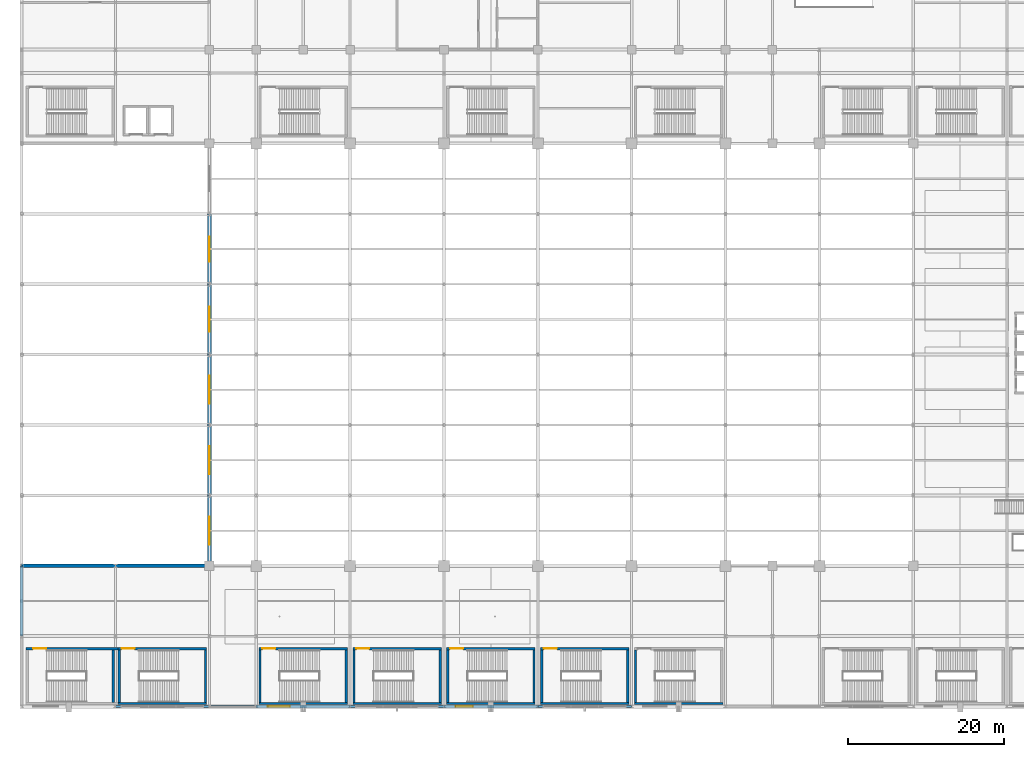
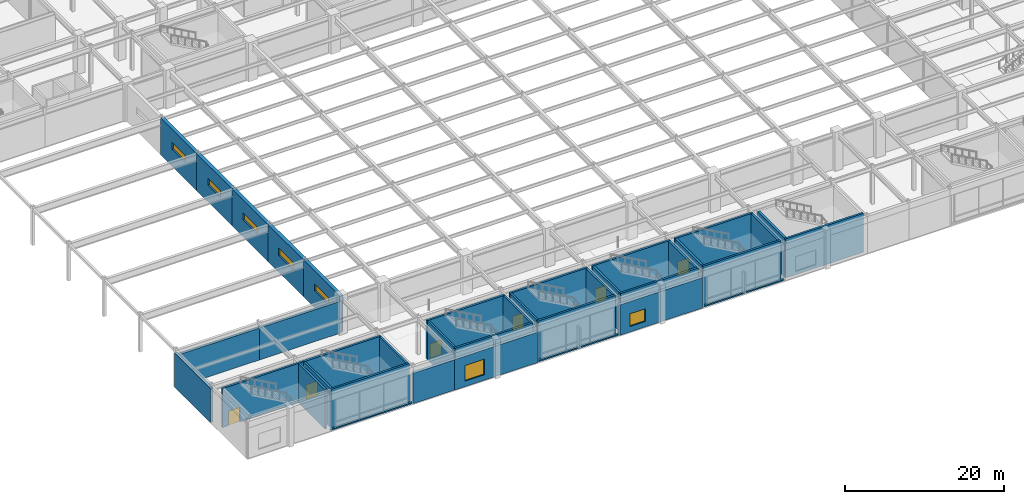
# One storey, part 83 of 105: 38 walls, 7 windows, 6 doors, 13 openings.
"""IFC4 building model written with IfcOpenShell, lengths in metres."""

from ifc_helpers import new_model, si_unit, direction, frame, frame_2d, origin, place, context, subcontext, project, spatial, rectangle, extrude, material, layer, layer_set, type_object, element, fill, save


model = new_model("IFC4")

# Units and contexts
model_context = context("Model", 3, precision=1e-05, world=origin(), true_north=direction((0.0, 1.0)))
body_context = subcontext(model_context, "Body", "Model", "MODEL_VIEW")
ifc_project = project(units=[si_unit("LENGTHUNIT", "METRE"), si_unit("AREAUNIT", "SQUARE_METRE"), si_unit("VOLUMEUNIT", "CUBIC_METRE"), si_unit("PLANEANGLEUNIT", "RADIAN"), si_unit("MASSUNIT", "GRAM", prefix="KILO")], contexts=[model_context])

# Site, building, storey
site_placement = place(None, origin())
site = spatial("IfcSite", under=ifc_project, at=site_placement, CompositionType="ELEMENT")
building_placement = place(site_placement, origin())
building = spatial("IfcBuilding", under=site, at=building_placement, Name="Kaldorvane Square Convention Centre", CompositionType="ELEMENT")
storey_placement = place(building_placement, frame((0.0, 0.0, 6.0)))
storey = spatial("IfcBuildingStorey", under=building, at=storey_placement, Name="L01", CompositionType="ELEMENT", Elevation=6.0)

# Wall, opening, window
ifc_material_1 = material(Name="Concrete f'c = 55 MPa (Normalweight)", Category="concrete")
ifc_layer_1 = layer(ifc_material_1, 0.5)
ifc_layer_set_1 = layer_set([ifc_layer_1], Name="Concrete f'c = 55 MPa (Normalweight)")
wall_type_1 = type_object("IfcWallType", Name="WL-CORE-500", PredefinedType="SHEAR", material=ifc_layer_set_1)
wall_1_placement = place(storey_placement, frame((24.0, 27.0, 0.0), z_axis=(0.0, 0.0, 1.0), x_axis=(0.0, -1.0, 0.0)))
wall_1 = element("IfcWall", 1, at=wall_1_placement, inside=storey, type_object=wall_type_1, Name="Exhibition Hall Freight Dock Wall 1 (L01)", PredefinedType="SHEAR", context=body_context, shape_type="SweptSolid", body=[
    extrude(rectangle(XDim=9.0, YDim=0.5, at=frame_2d((4.5, 0.0))), origin(), (0.0, 0.0, 1.0), 5.67999267578125),
])
opening_1_placement = place(wall_1_placement, frame((2.6999969482421875, 0.0, 2.600006103515625)))
opening_1 = element("IfcOpeningElement", 2, at=opening_1_placement, cuts=wall_1, Name="Opening W-24", PredefinedType="OPENING", context=body_context, shape_type="SweptSolid", body=[
    extrude(rectangle(XDim=3.600006103515625, YDim=1.100006103515625, at=frame_2d((1.8000030517578125, 0.5500030517578125))), frame((0.0, 0.2649993896484375, 0.0), z_axis=(0.0, -1.0, 0.0), x_axis=(1.0, 0.0, 0.0)), (0.0, 0.0, 1.0), 0.529998779296875),
])
ifc_material_2 = material(Name="Anodized Aluminum and Low-E Insulated Glazing", Category="aluminium")
window_type_1 = type_object("IfcWindowType", Name="WN-CLR-3600X1100", PartitioningType="TRIPLE_PANEL_HORIZONTAL", PredefinedType="WINDOW", material=ifc_material_2)
window_1_placement = place(opening_1_placement, origin())
window_1 = element("IfcWindow", 3, at=window_1_placement, inside=storey, type_object=window_type_1, Name="Exhibition Hall West Clerestory Window 01", OverallHeight=1.100006103515625, OverallWidth=3.600006103515625, PartitioningType="TRIPLE_PANEL_HORIZONTAL", PredefinedType="WINDOW", context=body_context, shape_type="SweptSolid", body=[
    extrude(rectangle(XDim=3.600006103515625, YDim=1.100006103515625, at=frame_2d((1.8000030517578125, 0.5500030517578125))), frame((0.0, 0.029998779296875, 0.0), z_axis=(0.0, -1.0, 0.0), x_axis=(1.0, 0.0, 0.0)), (0.0, 0.0, 1.0), 0.05999755859375),
])
fill(opening_1, window_1)

wall_2_placement = place(storey_placement, frame((24.0, 36.0, 0.0), z_axis=(0.0, 0.0, 1.0), x_axis=(0.0, -1.0, 0.0)))
wall_2 = element("IfcWall", 4, at=wall_2_placement, inside=storey, type_object=wall_type_1, Name="Exhibition Hall Freight Dock Wall 2 (L01)", PredefinedType="SHEAR", context=body_context, shape_type="SweptSolid", body=[
    extrude(rectangle(XDim=9.0, YDim=0.5, at=frame_2d((4.5, 0.0))), origin(), (0.0, 0.0, 1.0), 5.67999267578125),
])
opening_2_placement = place(wall_2_placement, frame((2.6999969482421875, 0.0, 2.600006103515625)))
opening_2 = element("IfcOpeningElement", 5, at=opening_2_placement, cuts=wall_2, Name="Opening W-24", PredefinedType="OPENING", context=body_context, shape_type="SweptSolid", body=[
    extrude(rectangle(XDim=3.600006103515625, YDim=1.100006103515625, at=frame_2d((1.8000030517578125, 0.5500030517578125))), frame((0.0, 0.2649993896484375, 0.0), z_axis=(0.0, -1.0, 0.0), x_axis=(1.0, 0.0, 0.0)), (0.0, 0.0, 1.0), 0.529998779296875),
])
window_2_placement = place(opening_2_placement, origin())
window_2 = element("IfcWindow", 6, at=window_2_placement, inside=storey, type_object=window_type_1, Name="Exhibition Hall West Clerestory Window 02", OverallHeight=1.100006103515625, OverallWidth=3.600006103515625, PartitioningType="TRIPLE_PANEL_HORIZONTAL", PredefinedType="WINDOW", context=body_context, shape_type="SweptSolid", body=[
    extrude(rectangle(XDim=3.600006103515625, YDim=1.100006103515625, at=frame_2d((1.8000030517578125, 0.5500030517578125))), frame((0.0, 0.029998779296875, 0.0), z_axis=(0.0, -1.0, 0.0), x_axis=(1.0, 0.0, 0.0)), (0.0, 0.0, 1.0), 0.05999755859375),
])
fill(opening_2, window_2)

wall_3_placement = place(storey_placement, frame((24.0, 45.0, 0.0), z_axis=(0.0, 0.0, 1.0), x_axis=(0.0, -1.0, 0.0)))
wall_3 = element("IfcWall", 7, at=wall_3_placement, inside=storey, type_object=wall_type_1, Name="Exhibition Hall Freight Dock Wall 3 (L01)", PredefinedType="SHEAR", context=body_context, shape_type="SweptSolid", body=[
    extrude(rectangle(XDim=9.0, YDim=0.5, at=frame_2d((4.5, 0.0))), origin(), (0.0, 0.0, 1.0), 5.67999267578125),
])
opening_3_placement = place(wall_3_placement, frame((2.6999969482421875, 0.0, 2.600006103515625)))
opening_3 = element("IfcOpeningElement", 8, at=opening_3_placement, cuts=wall_3, Name="Opening W-24", PredefinedType="OPENING", context=body_context, shape_type="SweptSolid", body=[
    extrude(rectangle(XDim=3.600006103515625, YDim=1.100006103515625, at=frame_2d((1.8000030517578125, 0.5500030517578125))), frame((0.0, 0.2649993896484375, 0.0), z_axis=(0.0, -1.0, 0.0), x_axis=(1.0, 0.0, 0.0)), (0.0, 0.0, 1.0), 0.529998779296875),
])
window_3_placement = place(opening_3_placement, origin())
window_3 = element("IfcWindow", 9, at=window_3_placement, inside=storey, type_object=window_type_1, Name="Exhibition Hall West Clerestory Window 03", OverallHeight=1.100006103515625, OverallWidth=3.600006103515625, PartitioningType="TRIPLE_PANEL_HORIZONTAL", PredefinedType="WINDOW", context=body_context, shape_type="SweptSolid", body=[
    extrude(rectangle(XDim=3.600006103515625, YDim=1.100006103515625, at=frame_2d((1.8000030517578125, 0.5500030517578125))), frame((0.0, 0.029998779296875, 0.0), z_axis=(0.0, -1.0, 0.0), x_axis=(1.0, 0.0, 0.0)), (0.0, 0.0, 1.0), 0.05999755859375),
])
fill(opening_3, window_3)

wall_4_placement = place(storey_placement, frame((24.0, 54.0, 0.0), z_axis=(0.0, 0.0, 1.0), x_axis=(0.0, -1.0, 0.0)))
wall_4 = element("IfcWall", 10, at=wall_4_placement, inside=storey, type_object=wall_type_1, Name="Exhibition Hall Freight Dock Wall 4 (L01)", PredefinedType="SHEAR", context=body_context, shape_type="SweptSolid", body=[
    extrude(rectangle(XDim=9.0, YDim=0.5, at=frame_2d((4.5, 0.0))), origin(), (0.0, 0.0, 1.0), 5.67999267578125),
])
opening_4_placement = place(wall_4_placement, frame((2.899993896484375, 0.0, 2.600006103515625)))
opening_4 = element("IfcOpeningElement", 11, at=opening_4_placement, cuts=wall_4, Name="Opening W-25", PredefinedType="OPENING", context=body_context, shape_type="SweptSolid", body=[
    extrude(rectangle(XDim=3.1999969482421875, YDim=1.0500030517578125, at=frame_2d((1.600006103515625, 0.524993896484375))), frame((0.0, 0.2649993896484375, 0.0), z_axis=(0.0, -1.0, 0.0), x_axis=(1.0, 0.0, 0.0)), (0.0, 0.0, 1.0), 0.529998779296875),
])
window_type_2 = type_object("IfcWindowType", Name="WN-CLR-3200X1050", PartitioningType="TRIPLE_PANEL_HORIZONTAL", PredefinedType="WINDOW", material=ifc_material_2)
window_4_placement = place(opening_4_placement, origin())
window_4 = element("IfcWindow", 12, at=window_4_placement, inside=storey, type_object=window_type_2, Name="Exhibition Hall West Clerestory Window 04", OverallHeight=1.0500030517578125, OverallWidth=3.1999969482421875, PartitioningType="TRIPLE_PANEL_HORIZONTAL", PredefinedType="WINDOW", context=body_context, shape_type="SweptSolid", body=[
    extrude(rectangle(XDim=3.1999969482421875, YDim=1.0500030517578125, at=frame_2d((1.600006103515625, 0.524993896484375))), frame((0.0, 0.029998779296875, 0.0), z_axis=(0.0, -1.0, 0.0), x_axis=(1.0, 0.0, 0.0)), (0.0, 0.0, 1.0), 0.05999755859375),
])
fill(opening_4, window_4)

wall_5_placement = place(storey_placement, frame((24.0, 63.0, 0.0), z_axis=(0.0, 0.0, 1.0), x_axis=(0.0, -1.0, 0.0)))
wall_5 = element("IfcWall", 13, at=wall_5_placement, inside=storey, type_object=wall_type_1, Name="Exhibition Hall Freight Dock Wall 5 (L01)", PredefinedType="SHEAR", context=body_context, shape_type="SweptSolid", body=[
    extrude(rectangle(XDim=9.0, YDim=0.5, at=frame_2d((4.5, 0.0))), origin(), (0.0, 0.0, 1.0), 5.67999267578125),
])
opening_5_placement = place(wall_5_placement, frame((2.899993896484375, 0.0, 2.600006103515625)))
opening_5 = element("IfcOpeningElement", 14, at=opening_5_placement, cuts=wall_5, Name="Opening W-25", PredefinedType="OPENING", context=body_context, shape_type="SweptSolid", body=[
    extrude(rectangle(XDim=3.1999969482421875, YDim=1.0500030517578125, at=frame_2d((1.600006103515625, 0.524993896484375))), frame((0.0, 0.2649993896484375, 0.0), z_axis=(0.0, -1.0, 0.0), x_axis=(1.0, 0.0, 0.0)), (0.0, 0.0, 1.0), 0.529998779296875),
])
window_5_placement = place(opening_5_placement, origin())
window_5 = element("IfcWindow", 15, at=window_5_placement, inside=storey, type_object=window_type_2, Name="Exhibition Hall West Clerestory Window 05", OverallHeight=1.0500030517578125, OverallWidth=3.1999969482421875, PartitioningType="TRIPLE_PANEL_HORIZONTAL", PredefinedType="WINDOW", context=body_context, shape_type="SweptSolid", body=[
    extrude(rectangle(XDim=3.1999969482421875, YDim=1.0500030517578125, at=frame_2d((1.600006103515625, 0.524993896484375))), frame((0.0, 0.029998779296875, 0.0), z_axis=(0.0, -1.0, 0.0), x_axis=(1.0, 0.0, 0.0)), (0.0, 0.0, 1.0), 0.05999755859375),
])
fill(opening_5, window_5)

# Wall
ifc_material_3 = material(Name="Concrete f'c = 42 MPa (Normalweight)", Category="concrete")
ifc_layer_2 = layer(ifc_material_3, 0.410003662109375)
ifc_layer_set_2 = layer_set([ifc_layer_2], Name="Concrete f'c = 42 MPa (Normalweight)")
wall_type_2 = type_object("IfcWallType", Name="WL-EXT-410", PredefinedType="STANDARD", material=ifc_layer_set_2)
wall_6_placement = place(storey_placement, frame((24.0, 0.0, 0.0), z_axis=(0.0, 0.0, 1.0), x_axis=(1.0, 0.0, 0.0)))
element("IfcWall", 16, at=wall_6_placement, inside=storey, type_object=wall_type_2, Name="South Square Brutalist Facade Wall (L01)", PredefinedType="STANDARD", context=body_context, shape_type="SweptSolid", body=[
    extrude(rectangle(XDim=6.0, YDim=0.410003662109375, at=frame_2d((3.0, 0.0))), origin(), (0.0, 0.0, 1.0), 4.675994873046875),
])

# Wall, opening, window
wall_7_placement = place(storey_placement, frame((30.0, 0.0, 0.0), z_axis=(0.0, 0.0, 1.0), x_axis=(1.0, 0.0, 0.0)))
wall_7 = element("IfcWall", 17, at=wall_7_placement, inside=storey, type_object=wall_type_2, Name="South Square Brutalist Facade Wall (L01)", PredefinedType="STANDARD", context=body_context, shape_type="SweptSolid", body=[
    extrude(rectangle(XDim=12.0, YDim=0.410003662109375, at=frame_2d((6.0, 0.0))), origin(), (0.0, 0.0, 1.0), 4.675994873046875),
])
opening_6_placement = place(wall_7_placement, frame((1.5, 0.0, 0.850006103515625)))
opening_6 = element("IfcOpeningElement", 18, at=opening_6_placement, cuts=wall_7, Name="Opening W-17", PredefinedType="OPENING", context=body_context, shape_type="SweptSolid", body=[
    extrude(rectangle(XDim=2.8000030517578125, YDim=2.399993896484375, at=frame_2d((1.399993896484375, 1.1999969482421875))), frame((0.0, 0.220001220703125, 0.0), z_axis=(0.0, -1.0, 0.0), x_axis=(1.0, 0.0, 0.0)), (0.0, 0.0, 1.0), 0.44000244140625),
])
window_type_3 = type_object("IfcWindowType", Name="WN-POD-2800X2400", PartitioningType="DOUBLE_PANEL_VERTICAL", PredefinedType="WINDOW", material=ifc_material_2)
window_6_placement = place(opening_6_placement, origin())
window_6 = element("IfcWindow", 19, at=window_6_placement, inside=storey, type_object=window_type_3, Name="South Facade Window (L01)", OverallHeight=2.399993896484375, OverallWidth=2.8000030517578125, PartitioningType="DOUBLE_PANEL_VERTICAL", PredefinedType="WINDOW", context=body_context, shape_type="SweptSolid", body=[
    extrude(rectangle(XDim=2.8000030517578125, YDim=2.399993896484375, at=frame_2d((1.399993896484375, 1.1999969482421875))), frame((0.0, 0.029998779296875, 0.0), z_axis=(0.0, -1.0, 0.0), x_axis=(1.0, 0.0, 0.0)), (0.0, 0.0, 1.0), 0.05999755859375),
])
fill(opening_6, window_6)

wall_8_placement = place(storey_placement, frame((54.0, 0.0, 0.0), z_axis=(0.0, 0.0, 1.0), x_axis=(1.0, 0.0, 0.0)))
wall_8 = element("IfcWall", 20, at=wall_8_placement, inside=storey, type_object=wall_type_2, Name="South Square Brutalist Facade Wall (L01)", PredefinedType="STANDARD", context=body_context, shape_type="SweptSolid", body=[
    extrude(rectangle(XDim=12.0, YDim=0.410003662109375, at=frame_2d((6.0, 0.0))), origin(), (0.0, 0.0, 1.0), 4.675994873046875),
])
opening_7_placement = place(wall_8_placement, frame((1.5, 0.0, 0.850006103515625)))
opening_7 = element("IfcOpeningElement", 21, at=opening_7_placement, cuts=wall_8, Name="Opening W-20", PredefinedType="OPENING", context=body_context, shape_type="SweptSolid", body=[
    extrude(rectangle(XDim=2.1999969482421875, YDim=1.9499969482421875, at=frame_2d((1.100006103515625, 0.975006103515625))), frame((0.0, 0.220001220703125, 0.0), z_axis=(0.0, -1.0, 0.0), x_axis=(1.0, 0.0, 0.0)), (0.0, 0.0, 1.0), 0.44000244140625),
])
window_type_4 = type_object("IfcWindowType", Name="WN-POD-2200X1950", PartitioningType="DOUBLE_PANEL_VERTICAL", PredefinedType="WINDOW", material=ifc_material_2)
window_7_placement = place(opening_7_placement, origin())
window_7 = element("IfcWindow", 22, at=window_7_placement, inside=storey, type_object=window_type_4, Name="South Facade Window (L01)", OverallHeight=1.9499969482421875, OverallWidth=2.1999969482421875, PartitioningType="DOUBLE_PANEL_VERTICAL", PredefinedType="WINDOW", context=body_context, shape_type="SweptSolid", body=[
    extrude(rectangle(XDim=2.1999969482421875, YDim=1.9499969482421875, at=frame_2d((1.100006103515625, 0.975006103515625))), frame((0.0, 0.029998779296875, 0.0), z_axis=(0.0, -1.0, 0.0), x_axis=(1.0, 0.0, 0.0)), (0.0, 0.0, 1.0), 0.05999755859375),
])
fill(opening_7, window_7)

# Walls
wall_9_placement = place(storey_placement, frame((0.0, 18.0, 0.0), z_axis=(0.0, 0.0, 1.0), x_axis=(0.0, -1.0, 0.0)))
element("IfcWall", 23, at=wall_9_placement, inside=storey, type_object=wall_type_2, Name="West Service Spine Wall (L01)", PredefinedType="STANDARD", context=body_context, shape_type="SweptSolid", body=[
    extrude(rectangle(XDim=9.0, YDim=0.410003662109375, at=frame_2d((4.5, 0.0))), origin(), (0.0, 0.0, 1.0), 5.2689971923828125),
])
for number, where, z_axis, x_axis, name in (
    (24, (0.0, 18.0, 0.0), (0.0, 0.0, 1.0), (1.0, 0.0, 0.0), "Service Yard South Wall (L01)"),
    (25, (12.0, 18.0, 0.0), (0.0, 0.0, 1.0), (1.0, 0.0, 0.0), "Service Yard South Wall (L01)"),
):
    element("IfcWall", number, at=place(storey_placement, frame(where, z_axis=z_axis, x_axis=x_axis)), inside=storey, type_object=wall_type_2, Name=name, PredefinedType="STANDARD", context=body_context, shape_type="SweptSolid", body=[
        extrude(rectangle(XDim=12.0, YDim=0.410003662109375, at=frame_2d((6.0, 0.0))), origin(), (0.0, 0.0, 1.0), 4.9019927978515625),
    ])
ifc_material_4 = material(Name="Concrete f'c = 35 MPa (Normalweight)", Category="concrete")
ifc_layer_3 = layer(ifc_material_4, 0.279998779296875)
ifc_layer_set_3 = layer_set([ifc_layer_3], Name="Concrete f'c = 35 MPa (Normalweight)")
wall_type_3 = type_object("IfcWallType", Name="WL-PAR-280", PredefinedType="PARAPET", material=ifc_layer_set_3)
for number, where, z_axis, x_axis, name in (
    (26, (12.0, 0.0, 0.0), (0.0, 0.0, 1.0), (1.0, 0.0, 0.0), "Curtain-Wall Sill Kerb (L01)"),
    (27, (42.0, 0.0, 0.0), (0.0, 0.0, 1.0), (1.0, 0.0, 0.0), "Curtain-Wall Sill Kerb (L01)"),
    (28, (66.0, 0.0, 0.0), (0.0, 0.0, 1.0), (1.0, 0.0, 0.0), "Curtain-Wall Sill Kerb (L01)"),
):
    element("IfcWall", number, at=place(storey_placement, frame(where, z_axis=z_axis, x_axis=x_axis)), inside=storey, type_object=wall_type_3, Name=name, PredefinedType="PARAPET", context=body_context, shape_type="SweptSolid", body=[
        extrude(rectangle(XDim=12.0, YDim=0.279998779296875, at=frame_2d((6.0, 0.0))), origin(), (0.0, 0.0, 1.0), 0.1999969482421875),
    ])

# Wall, opening, door
ifc_layer_4 = layer(ifc_material_1, 0.3000030517578125)
ifc_layer_set_4 = layer_set([ifc_layer_4], Name="Concrete f'c = 55 MPa (Normalweight)")
wall_type_4 = type_object("IfcWallType", Name="WL-SHAFT-300", PredefinedType="SHEAR", material=ifc_layer_set_4)
wall_10_placement = place(storey_placement, frame((12.339996337890625, 7.410003662109375, 0.0), z_axis=(0.0, 0.0, 1.0), x_axis=(-1.0, 0.0, 0.0)))
wall_10 = element("IfcWall", 29, at=wall_10_placement, inside=storey, type_object=wall_type_4, Name="Core Enclosure Wall stair:ST-C1-N (L01)", PredefinedType="SHEAR", context=body_context, shape_type="SweptSolid", body=[
    extrude(rectangle(XDim=11.779998779296875, YDim=0.3000030517578125, at=frame_2d((5.8899993896484375, 0.0))), origin(), (0.0, 0.0, 1.0), 6.0),
])
opening_8_placement = place(wall_10_placement, frame((9.220001220703125, 0.0, 0.0)))
opening_8 = element("IfcOpeningElement", 30, at=opening_8_placement, cuts=wall_10, Name="Opening FD90-S2", PredefinedType="OPENING", context=body_context, shape_type="SweptSolid", body=[
    extrude(rectangle(XDim=1.649993896484375, YDim=2.25, at=frame_2d((0.8249969482421875, 1.125))), frame((0.0, 0.165008544921875, 0.0), z_axis=(0.0, -1.0, 0.0), x_axis=(1.0, 0.0, 0.0)), (0.0, 0.0, 1.0), 0.3300018310546875),
])
ifc_material_5 = material(Name="Fire-Rated Hollow Metal Steel", Category="steel")
door_type = type_object("IfcDoorType", Name="DR-STAIR-1650", OperationType="DOUBLE_DOOR_SINGLE_SWING", PredefinedType="DOOR", material=ifc_material_5)
door_1_placement = place(opening_8_placement, origin())
door_1 = element("IfcDoor", 31, at=door_1_placement, inside=storey, type_object=door_type, Name="Convention Exit Stair C1 Fire Door (L01)", OperationType="DOUBLE_DOOR_SINGLE_SWING", OverallHeight=2.25, OverallWidth=1.649993896484375, PredefinedType="DOOR", context=body_context, shape_type="SweptSolid", body=[
    extrude(rectangle(XDim=1.649993896484375, YDim=2.25, at=frame_2d((0.8249969482421875, 1.125))), frame((0.0, 0.024993896484375, 0.0), z_axis=(0.0, -1.0, 0.0), x_axis=(1.0, 0.0, 0.0)), (0.0, 0.0, 1.0), 0.0500030517578125),
])
fill(opening_8, door_1)

# Walls
wall_11_placement = place(storey_placement, frame((11.729995727539062, 0.5500030517578125, 0.0), z_axis=(0.0, 0.0, 1.0), x_axis=(0.0, 1.0, 0.0)))
element("IfcWall", 32, at=wall_11_placement, inside=storey, type_object=wall_type_4, Name="Core Enclosure Wall stair:ST-C1-E (L01)", PredefinedType="SHEAR", context=body_context, shape_type="SweptSolid", body=[
    extrude(rectangle(XDim=6.709991455078125, YDim=0.3000030517578125, at=frame_2d((3.3549957275390625, 0.0))), origin(), (0.0, 0.0, 1.0), 6.0),
])
wall_12_placement = place(storey_placement, frame((23.660003662109375, 0.399993896484375, 0.0), z_axis=(0.0, 0.0, 1.0), x_axis=(-1.0, 0.0, 0.0)))
element("IfcWall", 33, at=wall_12_placement, inside=storey, type_object=wall_type_4, Name="Core Enclosure Wall stair:ST-C2-S (L01)", PredefinedType="SHEAR", context=body_context, shape_type="SweptSolid", body=[
    extrude(rectangle(XDim=11.32000732421875, YDim=0.3000030517578125, at=frame_2d((5.660003662109375, 0.0))), origin(), (0.0, 0.0, 1.0), 6.0),
])

# Wall, opening, door
wall_13_placement = place(storey_placement, frame((23.660003662109375, 7.410003662109375, 0.0), z_axis=(0.0, 0.0, 1.0), x_axis=(-1.0, 0.0, 0.0)))
wall_13 = element("IfcWall", 34, at=wall_13_placement, inside=storey, type_object=wall_type_4, Name="Core Enclosure Wall stair:ST-C2-N (L01)", PredefinedType="SHEAR", context=body_context, shape_type="SweptSolid", body=[
    extrude(rectangle(XDim=11.32000732421875, YDim=0.3000030517578125, at=frame_2d((5.660003662109375, 0.0))), origin(), (0.0, 0.0, 1.0), 6.0),
])
opening_9_placement = place(wall_13_placement, frame((9.220001220703125, 0.0, 0.0)))
opening_9 = element("IfcOpeningElement", 35, at=opening_9_placement, cuts=wall_13, Name="Opening FD90-S2", PredefinedType="OPENING", context=body_context, shape_type="SweptSolid", body=[
    extrude(rectangle(XDim=1.649993896484375, YDim=2.25, at=frame_2d((0.8249969482421875, 1.125))), frame((0.0, 0.165008544921875, 0.0), z_axis=(0.0, -1.0, 0.0), x_axis=(1.0, 0.0, 0.0)), (0.0, 0.0, 1.0), 0.3300018310546875),
])
door_2_placement = place(opening_9_placement, origin())
door_2 = element("IfcDoor", 36, at=door_2_placement, inside=storey, type_object=door_type, Name="Convention Exit Stair C2 Fire Door (L01)", OperationType="DOUBLE_DOOR_SINGLE_SWING", OverallHeight=2.25, OverallWidth=1.649993896484375, PredefinedType="DOOR", context=body_context, shape_type="SweptSolid", body=[
    extrude(rectangle(XDim=1.649993896484375, YDim=2.25, at=frame_2d((0.8249969482421875, 1.125))), frame((0.0, 0.024993896484375, 0.0), z_axis=(0.0, -1.0, 0.0), x_axis=(1.0, 0.0, 0.0)), (0.0, 0.0, 1.0), 0.0500030517578125),
])
fill(opening_9, door_2)

# Walls
for number, where, z_axis, x_axis, name in (
    (37, (12.490005493164062, 7.2599945068359375, 0.0), (0.0, 0.0, 1.0), (0.0, -1.0, 0.0), "Core Enclosure Wall stair:ST-C2-W (L01)"),
    (38, (23.509994506835938, 0.5500030517578125, 0.0), (0.0, 0.0, 1.0), (0.0, 1.0, 0.0), "Core Enclosure Wall stair:ST-C2-E (L01)"),
):
    element("IfcWall", number, at=place(storey_placement, frame(where, z_axis=z_axis, x_axis=x_axis)), inside=storey, type_object=wall_type_4, Name=name, PredefinedType="SHEAR", context=body_context, shape_type="SweptSolid", body=[
        extrude(rectangle(XDim=6.709991455078125, YDim=0.3000030517578125, at=frame_2d((3.3549957275390625, 0.0))), origin(), (0.0, 0.0, 1.0), 6.0),
    ])
wall_14_placement = place(storey_placement, frame((41.660003662109375, 0.399993896484375, 0.0), z_axis=(0.0, 0.0, 1.0), x_axis=(-1.0, 0.0, 0.0)))
element("IfcWall", 39, at=wall_14_placement, inside=storey, type_object=wall_type_4, Name="Core Enclosure Wall stair:ST-C3-S (L01)", PredefinedType="SHEAR", context=body_context, shape_type="SweptSolid", body=[
    extrude(rectangle(XDim=11.32000732421875, YDim=0.3000030517578125, at=frame_2d((5.660003662109375, 0.0))), origin(), (0.0, 0.0, 1.0), 6.0),
])

# Wall, opening, door
wall_15_placement = place(storey_placement, frame((41.660003662109375, 7.410003662109375, 0.0), z_axis=(0.0, 0.0, 1.0), x_axis=(-1.0, 0.0, 0.0)))
wall_15 = element("IfcWall", 40, at=wall_15_placement, inside=storey, type_object=wall_type_4, Name="Core Enclosure Wall stair:ST-C3-N (L01)", PredefinedType="SHEAR", context=body_context, shape_type="SweptSolid", body=[
    extrude(rectangle(XDim=11.32000732421875, YDim=0.3000030517578125, at=frame_2d((5.660003662109375, 0.0))), origin(), (0.0, 0.0, 1.0), 6.0),
])
opening_10_placement = place(wall_15_placement, frame((9.220001220703125, 0.0, 0.0)))
opening_10 = element("IfcOpeningElement", 41, at=opening_10_placement, cuts=wall_15, Name="Opening FD90-S2", PredefinedType="OPENING", context=body_context, shape_type="SweptSolid", body=[
    extrude(rectangle(XDim=1.649993896484375, YDim=2.25, at=frame_2d((0.8249969482421875, 1.125))), frame((0.0, 0.165008544921875, 0.0), z_axis=(0.0, -1.0, 0.0), x_axis=(1.0, 0.0, 0.0)), (0.0, 0.0, 1.0), 0.3300018310546875),
])
door_3_placement = place(opening_10_placement, origin())
door_3 = element("IfcDoor", 42, at=door_3_placement, inside=storey, type_object=door_type, Name="Convention Exit Stair C3 Fire Door (L01)", OperationType="DOUBLE_DOOR_SINGLE_SWING", OverallHeight=2.25, OverallWidth=1.649993896484375, PredefinedType="DOOR", context=body_context, shape_type="SweptSolid", body=[
    extrude(rectangle(XDim=1.649993896484375, YDim=2.25, at=frame_2d((0.8249969482421875, 1.125))), frame((0.0, 0.024993896484375, 0.0), z_axis=(0.0, -1.0, 0.0), x_axis=(1.0, 0.0, 0.0)), (0.0, 0.0, 1.0), 0.0500030517578125),
])
fill(opening_10, door_3)

# Walls
for number, where, z_axis, x_axis, name in (
    (43, (30.490005493164062, 7.2599945068359375, 0.0), (0.0, 0.0, 1.0), (0.0, -1.0, 0.0), "Core Enclosure Wall stair:ST-C3-W (L01)"),
    (44, (41.50999450683594, 0.5500030517578125, 0.0), (0.0, 0.0, 1.0), (0.0, 1.0, 0.0), "Core Enclosure Wall stair:ST-C3-E (L01)"),
):
    element("IfcWall", number, at=place(storey_placement, frame(where, z_axis=z_axis, x_axis=x_axis)), inside=storey, type_object=wall_type_4, Name=name, PredefinedType="SHEAR", context=body_context, shape_type="SweptSolid", body=[
        extrude(rectangle(XDim=6.709991455078125, YDim=0.3000030517578125, at=frame_2d((3.3549957275390625, 0.0))), origin(), (0.0, 0.0, 1.0), 6.0),
    ])
wall_16_placement = place(storey_placement, frame((53.660003662109375, 0.399993896484375, 0.0), z_axis=(0.0, 0.0, 1.0), x_axis=(-1.0, 0.0, 0.0)))
element("IfcWall", 45, at=wall_16_placement, inside=storey, type_object=wall_type_4, Name="Core Enclosure Wall stair:ST-C4-S (L01)", PredefinedType="SHEAR", context=body_context, shape_type="SweptSolid", body=[
    extrude(rectangle(XDim=11.32000732421875, YDim=0.3000030517578125, at=frame_2d((5.660003662109375, 0.0))), origin(), (0.0, 0.0, 1.0), 6.0),
])

# Wall, opening, door
wall_17_placement = place(storey_placement, frame((53.660003662109375, 7.410003662109375, 0.0), z_axis=(0.0, 0.0, 1.0), x_axis=(-1.0, 0.0, 0.0)))
wall_17 = element("IfcWall", 46, at=wall_17_placement, inside=storey, type_object=wall_type_4, Name="Core Enclosure Wall stair:ST-C4-N (L01)", PredefinedType="SHEAR", context=body_context, shape_type="SweptSolid", body=[
    extrude(rectangle(XDim=11.32000732421875, YDim=0.3000030517578125, at=frame_2d((5.660003662109375, 0.0))), origin(), (0.0, 0.0, 1.0), 6.0),
])
opening_11_placement = place(wall_17_placement, frame((9.220001220703125, 0.0, 0.0)))
opening_11 = element("IfcOpeningElement", 47, at=opening_11_placement, cuts=wall_17, Name="Opening FD90-S2", PredefinedType="OPENING", context=body_context, shape_type="SweptSolid", body=[
    extrude(rectangle(XDim=1.649993896484375, YDim=2.25, at=frame_2d((0.8249969482421875, 1.125))), frame((0.0, 0.165008544921875, 0.0), z_axis=(0.0, -1.0, 0.0), x_axis=(1.0, 0.0, 0.0)), (0.0, 0.0, 1.0), 0.3300018310546875),
])
door_4_placement = place(opening_11_placement, origin())
door_4 = element("IfcDoor", 48, at=door_4_placement, inside=storey, type_object=door_type, Name="Convention Exit Stair C4 Fire Door (L01)", OperationType="DOUBLE_DOOR_SINGLE_SWING", OverallHeight=2.25, OverallWidth=1.649993896484375, PredefinedType="DOOR", context=body_context, shape_type="SweptSolid", body=[
    extrude(rectangle(XDim=1.649993896484375, YDim=2.25, at=frame_2d((0.8249969482421875, 1.125))), frame((0.0, 0.024993896484375, 0.0), z_axis=(0.0, -1.0, 0.0), x_axis=(1.0, 0.0, 0.0)), (0.0, 0.0, 1.0), 0.0500030517578125),
])
fill(opening_11, door_4)

# Walls
for number, where, z_axis, x_axis, name in (
    (49, (42.49000549316406, 7.2599945068359375, 0.0), (0.0, 0.0, 1.0), (0.0, -1.0, 0.0), "Core Enclosure Wall stair:ST-C4-W (L01)"),
    (50, (53.50999450683594, 0.5500030517578125, 0.0), (0.0, 0.0, 1.0), (0.0, 1.0, 0.0), "Core Enclosure Wall stair:ST-C4-E (L01)"),
):
    element("IfcWall", number, at=place(storey_placement, frame(where, z_axis=z_axis, x_axis=x_axis)), inside=storey, type_object=wall_type_4, Name=name, PredefinedType="SHEAR", context=body_context, shape_type="SweptSolid", body=[
        extrude(rectangle(XDim=6.709991455078125, YDim=0.3000030517578125, at=frame_2d((3.3549957275390625, 0.0))), origin(), (0.0, 0.0, 1.0), 6.0),
    ])
wall_18_placement = place(storey_placement, frame((65.66000366210938, 0.399993896484375, 0.0), z_axis=(0.0, 0.0, 1.0), x_axis=(-1.0, 0.0, 0.0)))
element("IfcWall", 51, at=wall_18_placement, inside=storey, type_object=wall_type_4, Name="Core Enclosure Wall stair:ST-C5-S (L01)", PredefinedType="SHEAR", context=body_context, shape_type="SweptSolid", body=[
    extrude(rectangle(XDim=11.32000732421875, YDim=0.3000030517578125, at=frame_2d((5.660003662109375, 0.0))), origin(), (0.0, 0.0, 1.0), 6.0),
])

# Wall, opening, door
wall_19_placement = place(storey_placement, frame((65.66000366210938, 7.410003662109375, 0.0), z_axis=(0.0, 0.0, 1.0), x_axis=(-1.0, 0.0, 0.0)))
wall_19 = element("IfcWall", 52, at=wall_19_placement, inside=storey, type_object=wall_type_4, Name="Core Enclosure Wall stair:ST-C5-N (L01)", PredefinedType="SHEAR", context=body_context, shape_type="SweptSolid", body=[
    extrude(rectangle(XDim=11.32000732421875, YDim=0.3000030517578125, at=frame_2d((5.660003662109375, 0.0))), origin(), (0.0, 0.0, 1.0), 6.0),
])
opening_12_placement = place(wall_19_placement, frame((9.220001220703125, 0.0, 0.0)))
opening_12 = element("IfcOpeningElement", 53, at=opening_12_placement, cuts=wall_19, Name="Opening FD90-S2", PredefinedType="OPENING", context=body_context, shape_type="SweptSolid", body=[
    extrude(rectangle(XDim=1.649993896484375, YDim=2.25, at=frame_2d((0.8249969482421875, 1.125))), frame((0.0, 0.165008544921875, 0.0), z_axis=(0.0, -1.0, 0.0), x_axis=(1.0, 0.0, 0.0)), (0.0, 0.0, 1.0), 0.3300018310546875),
])
door_5_placement = place(opening_12_placement, origin())
door_5 = element("IfcDoor", 54, at=door_5_placement, inside=storey, type_object=door_type, Name="Convention Exit Stair C5 Fire Door (L01)", OperationType="DOUBLE_DOOR_SINGLE_SWING", OverallHeight=2.25, OverallWidth=1.649993896484375, PredefinedType="DOOR", context=body_context, shape_type="SweptSolid", body=[
    extrude(rectangle(XDim=1.649993896484375, YDim=2.25, at=frame_2d((0.8249969482421875, 1.125))), frame((0.0, 0.024993896484375, 0.0), z_axis=(0.0, -1.0, 0.0), x_axis=(1.0, 0.0, 0.0)), (0.0, 0.0, 1.0), 0.0500030517578125),
])
fill(opening_12, door_5)

# Walls
for number, where, z_axis, x_axis, name in (
    (55, (54.49000549316406, 7.2599945068359375, 0.0), (0.0, 0.0, 1.0), (0.0, -1.0, 0.0), "Core Enclosure Wall stair:ST-C5-W (L01)"),
    (56, (65.50999450683594, 0.5500030517578125, 0.0), (0.0, 0.0, 1.0), (0.0, 1.0, 0.0), "Core Enclosure Wall stair:ST-C5-E (L01)"),
):
    element("IfcWall", number, at=place(storey_placement, frame(where, z_axis=z_axis, x_axis=x_axis)), inside=storey, type_object=wall_type_4, Name=name, PredefinedType="SHEAR", context=body_context, shape_type="SweptSolid", body=[
        extrude(rectangle(XDim=6.709991455078125, YDim=0.3000030517578125, at=frame_2d((3.3549957275390625, 0.0))), origin(), (0.0, 0.0, 1.0), 6.0),
    ])
wall_20_placement = place(storey_placement, frame((77.66000366210938, 0.399993896484375, 0.0), z_axis=(0.0, 0.0, 1.0), x_axis=(-1.0, 0.0, 0.0)))
element("IfcWall", 57, at=wall_20_placement, inside=storey, type_object=wall_type_4, Name="Core Enclosure Wall stair:ST-C6-S (L01)", PredefinedType="SHEAR", context=body_context, shape_type="SweptSolid", body=[
    extrude(rectangle(XDim=11.32000732421875, YDim=0.3000030517578125, at=frame_2d((5.660003662109375, 0.0))), origin(), (0.0, 0.0, 1.0), 6.0),
])

# Wall, opening, door
wall_21_placement = place(storey_placement, frame((77.66000366210938, 7.410003662109375, 0.0), z_axis=(0.0, 0.0, 1.0), x_axis=(-1.0, 0.0, 0.0)))
wall_21 = element("IfcWall", 58, at=wall_21_placement, inside=storey, type_object=wall_type_4, Name="Core Enclosure Wall stair:ST-C6-N (L01)", PredefinedType="SHEAR", context=body_context, shape_type="SweptSolid", body=[
    extrude(rectangle(XDim=11.32000732421875, YDim=0.3000030517578125, at=frame_2d((5.660003662109375, 0.0))), origin(), (0.0, 0.0, 1.0), 6.0),
])
opening_13_placement = place(wall_21_placement, frame((9.220001220703125, 0.0, 0.0)))
opening_13 = element("IfcOpeningElement", 59, at=opening_13_placement, cuts=wall_21, Name="Opening FD90-S2", PredefinedType="OPENING", context=body_context, shape_type="SweptSolid", body=[
    extrude(rectangle(XDim=1.649993896484375, YDim=2.25, at=frame_2d((0.8249969482421875, 1.125))), frame((0.0, 0.165008544921875, 0.0), z_axis=(0.0, -1.0, 0.0), x_axis=(1.0, 0.0, 0.0)), (0.0, 0.0, 1.0), 0.3300018310546875),
])
door_6_placement = place(opening_13_placement, origin())
door_6 = element("IfcDoor", 60, at=door_6_placement, inside=storey, type_object=door_type, Name="Convention Exit Stair C6 Fire Door (L01)", OperationType="DOUBLE_DOOR_SINGLE_SWING", OverallHeight=2.25, OverallWidth=1.649993896484375, PredefinedType="DOOR", context=body_context, shape_type="SweptSolid", body=[
    extrude(rectangle(XDim=1.649993896484375, YDim=2.25, at=frame_2d((0.8249969482421875, 1.125))), frame((0.0, 0.024993896484375, 0.0), z_axis=(0.0, -1.0, 0.0), x_axis=(1.0, 0.0, 0.0)), (0.0, 0.0, 1.0), 0.0500030517578125),
])
fill(opening_13, door_6)

# Walls
for number, where, z_axis, x_axis, name in (
    (61, (66.49000549316406, 7.2599945068359375, 0.0), (0.0, 0.0, 1.0), (0.0, -1.0, 0.0), "Core Enclosure Wall stair:ST-C6-W (L01)"),
    (62, (77.50999450683594, 0.5500030517578125, 0.0), (0.0, 0.0, 1.0), (0.0, 1.0, 0.0), "Core Enclosure Wall stair:ST-C6-E (L01)"),
):
    element("IfcWall", number, at=place(storey_placement, frame(where, z_axis=z_axis, x_axis=x_axis)), inside=storey, type_object=wall_type_4, Name=name, PredefinedType="SHEAR", context=body_context, shape_type="SweptSolid", body=[
        extrude(rectangle(XDim=6.709991455078125, YDim=0.3000030517578125, at=frame_2d((3.3549957275390625, 0.0))), origin(), (0.0, 0.0, 1.0), 6.0),
    ])
wall_22_placement = place(storey_placement, frame((89.66000366210938, 0.399993896484375, 0.0), z_axis=(0.0, 0.0, 1.0), x_axis=(-1.0, 0.0, 0.0)))
element("IfcWall", 63, at=wall_22_placement, inside=storey, type_object=wall_type_4, Name="Core Enclosure Wall stair:ST-C7-S (L01)", PredefinedType="SHEAR", context=body_context, shape_type="SweptSolid", body=[
    extrude(rectangle(XDim=11.32000732421875, YDim=0.3000030517578125, at=frame_2d((5.660003662109375, 0.0))), origin(), (0.0, 0.0, 1.0), 6.0),
])
wall_23_placement = place(storey_placement, frame((78.49000549316406, 7.2599945068359375, 0.0), z_axis=(0.0, 0.0, 1.0), x_axis=(0.0, -1.0, 0.0)))
element("IfcWall", 64, at=wall_23_placement, inside=storey, type_object=wall_type_4, Name="Core Enclosure Wall stair:ST-C7-W (L01)", PredefinedType="SHEAR", context=body_context, shape_type="SweptSolid", body=[
    extrude(rectangle(XDim=6.709991455078125, YDim=0.3000030517578125, at=frame_2d((3.3549957275390625, 0.0))), origin(), (0.0, 0.0, 1.0), 6.0),
])

save(model, "model.ifc")
